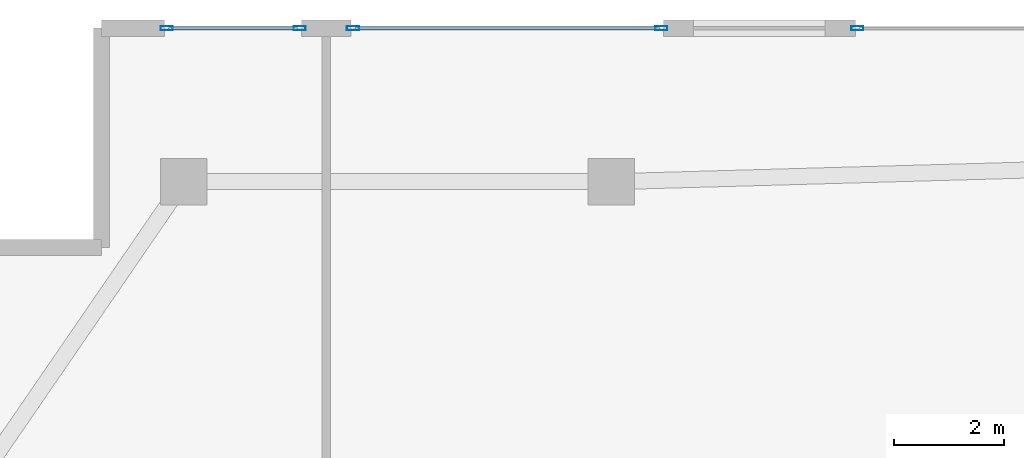
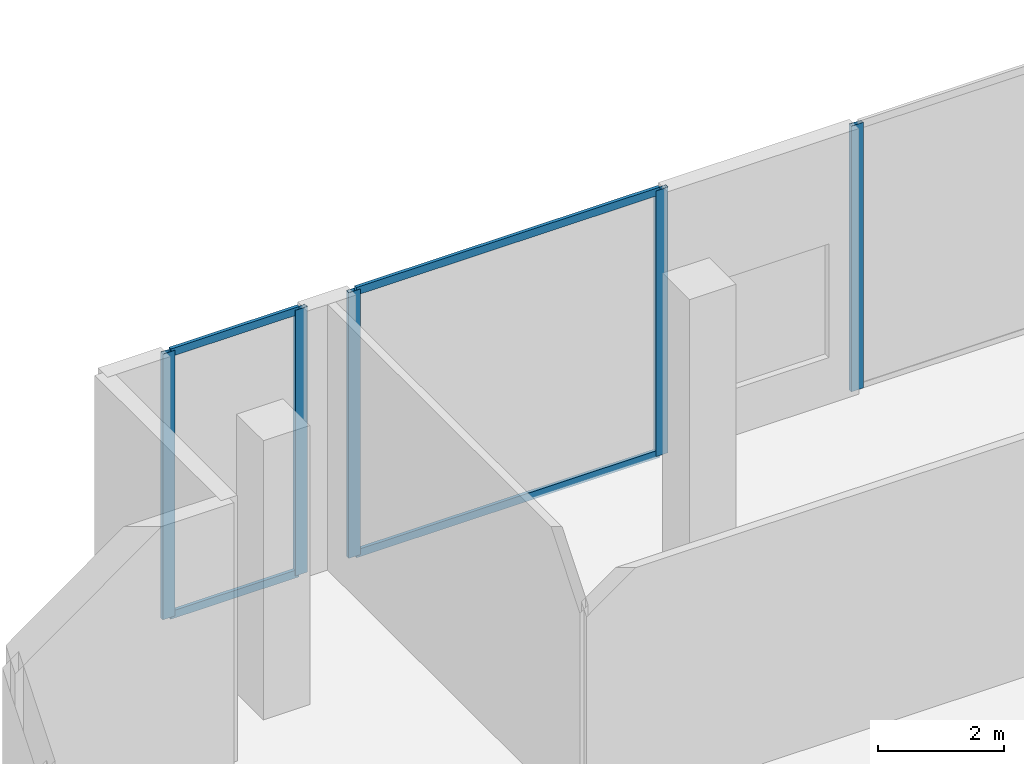
# One storey, part 14 of 30: 9 members, 3 elements without a shape of their own.
"""IFC4 building model written with IfcOpenShell, lengths in metres."""

from ifc_helpers import new_model, si_unit, direction, frame, origin, origin_2d, place, context, subcontext, project, spatial, hollow_rectangle, extrude, material, layer, layer_set, material_profile, profile_set, type_object, element, aggregate, save


model = new_model("IFC4")

# Units and contexts
model_context = context("Model", 3, precision=1e-05, world=origin(), true_north=direction((0.0, 1.0)))
body_context = subcontext(model_context, "Body", "Model", "MODEL_VIEW")
ifc_project = project(units=[si_unit("LENGTHUNIT", "METRE"), si_unit("AREAUNIT", "SQUARE_METRE"), si_unit("VOLUMEUNIT", "CUBIC_METRE"), si_unit("PLANEANGLEUNIT", "RADIAN"), si_unit("MASSUNIT", "GRAM", prefix="KILO")], contexts=[model_context])

# Site, building, storey
site_placement = place(None, origin())
site = spatial("IfcSite", under=ifc_project, at=site_placement, CompositionType="ELEMENT")
building_placement = place(site_placement, origin())
building = spatial("IfcBuilding", under=site, at=building_placement, Name="Zuhayl Quay Hotel", CompositionType="ELEMENT")
storey_placement = place(building_placement, frame((0.0, 0.0, 6.0)))
storey = spatial("IfcBuildingStorey", under=building, at=storey_placement, Name="L01", CompositionType="ELEMENT", Elevation=6.0)

# Curtain wall, members
ifc_material_1 = material(Name="Anodised Aluminium 6063-T6", Category="aluminium")
ifc_layer = layer(ifc_material_1, 0.199951171875, Name="Anodised Aluminium 6063-T6", Category="aluminium")
ifc_layer_set = layer_set([ifc_layer], Name="Anodised Aluminium 6063-T6")
curtain_wall_type = type_object("IfcCurtainWallType", Name="CW_SYS_POD", PredefinedType="USERDEFINED", material=ifc_layer_set)
curtain_wall_1_placement = place(storey_placement, origin())
curtain_wall_1 = element("IfcCurtainWall", 1, at=curtain_wall_1_placement, inside=storey, type_object=curtain_wall_type, Name="L01 Curtain Wall ENV_L01_E05_CW1", ObjectType="UNITISED CURTAIN WALL", PredefinedType="USERDEFINED")
ifc_material_2 = material(Name="Black-anodised aluminium 6063-T6", Category="aluminium")
ifc_material_profile_1 = material_profile(ifc_material_2, hollow_rectangle(XDim=0.074951171875, YDim=0.219970703125, WallThickness=0.00390625, at=origin_2d()), Name="ALU220X75")
ifc_profile_set_1 = profile_set([ifc_material_profile_1], Name="Black-anodised aluminium 6063-T6")
member_type_1 = type_object("IfcMemberType", Name="MB_CW_MUL_220", PredefinedType="MULLION", material=ifc_profile_set_1)
member_1_placement = place(storey_placement, frame((-30.8125, 25.0, 0.0), z_axis=(0.0, 0.0, 1.0), x_axis=(0.0, 1.0, 0.0)))
member_1 = element("IfcMember", 2, at=member_1_placement, type_object=member_type_1, Name="CW-POD mullion 1", PredefinedType="MULLION", context=body_context, shape_type="SweptSolid", body=[
    extrude(hollow_rectangle(XDim=0.074951171875, YDim=0.219970703125, WallThickness=0.00390625, at=origin_2d()), origin(), (0.0, 0.0, 1.0), 5.139892578125),
])
member_2_placement = place(storey_placement, frame((-28.387451171875, 25.0, 0.0), z_axis=(0.0, 0.0, 1.0), x_axis=(0.0, 1.0, 0.0)))
member_2 = element("IfcMember", 3, at=member_2_placement, type_object=member_type_1, Name="CW-POD mullion 2", PredefinedType="MULLION", context=body_context, shape_type="SweptSolid", body=[
    extrude(hollow_rectangle(XDim=0.074951171875, YDim=0.219970703125, WallThickness=0.00390625, at=origin_2d()), origin(), (0.0, 0.0, 1.0), 5.139892578125),
])

curtain_wall_2_placement = place(storey_placement, origin())
curtain_wall_2 = element("IfcCurtainWall", 4, at=curtain_wall_2_placement, inside=storey, type_object=curtain_wall_type, Name="L01 Curtain Wall ENV_L01_E05_CW2", ObjectType="UNITISED CURTAIN WALL", PredefinedType="USERDEFINED")
member_3_placement = place(storey_placement, frame((-27.41259765625, 25.0, 0.0), z_axis=(0.0, 0.0, 1.0), x_axis=(0.0, 1.0, 0.0)))
member_3 = element("IfcMember", 5, at=member_3_placement, type_object=member_type_1, Name="CW-POD mullion 1", PredefinedType="MULLION", context=body_context, shape_type="SweptSolid", body=[
    extrude(hollow_rectangle(XDim=0.074951171875, YDim=0.219970703125, WallThickness=0.00390625, at=origin_2d()), origin(), (0.0, 0.0, 1.0), 5.139892578125),
])
member_4_placement = place(storey_placement, frame((-21.78759765625, 25.0, 0.0), z_axis=(0.0, 0.0, 1.0), x_axis=(0.0, 1.0, 0.0)))
member_4 = element("IfcMember", 6, at=member_4_placement, type_object=member_type_1, Name="CW-POD mullion 2", PredefinedType="MULLION", context=body_context, shape_type="SweptSolid", body=[
    extrude(hollow_rectangle(XDim=0.074951171875, YDim=0.219970703125, WallThickness=0.00390625, at=origin_2d()), origin(), (0.0, 0.0, 1.0), 5.139892578125),
])

# Curtain wall, member
curtain_wall_3_placement = place(storey_placement, origin())
curtain_wall_3 = element("IfcCurtainWall", 7, at=curtain_wall_3_placement, inside=storey, type_object=curtain_wall_type, Name="L01 Curtain Wall ENV_L01_E05_CW3", ObjectType="UNITISED CURTAIN WALL", PredefinedType="USERDEFINED")
member_5_placement = place(storey_placement, frame((-18.21240234375, 25.0, 0.0), z_axis=(0.0, 0.0, 1.0), x_axis=(0.0, 1.0, 0.0)))
member_5 = element("IfcMember", 8, at=member_5_placement, type_object=member_type_1, Name="CW-POD mullion 1", PredefinedType="MULLION", context=body_context, shape_type="SweptSolid", body=[
    extrude(hollow_rectangle(XDim=0.074951171875, YDim=0.219970703125, WallThickness=0.00390625, at=origin_2d()), origin(), (0.0, 0.0, 1.0), 5.139892578125),
])
aggregate(curtain_wall_3, [member_5])

# Member
ifc_material_profile_2 = material_profile(ifc_material_2, hollow_rectangle(XDim=0.06005859375, YDim=0.14990234375, WallThickness=0.00341796875, at=origin_2d()), Name="ALU150X60")
ifc_profile_set_2 = profile_set([ifc_material_profile_2], Name="Black-anodised aluminium 6063-T6")
member_type_2 = type_object("IfcMemberType", Name="MB_CW_TRN_150", PredefinedType="USERDEFINED", material=ifc_profile_set_2)
member_6_placement = place(storey_placement, frame((-30.77490234375, 25.0, 0.030029296875), z_axis=(1.0, 0.0, 0.0), x_axis=(0.0, 1.0, 0.0)))
member_6 = element("IfcMember", 9, at=member_6_placement, type_object=member_type_2, Name="CW-POD transom 1.1", ObjectType="TRANSOM", PredefinedType="USERDEFINED", context=body_context, shape_type="SweptSolid", body=[
    extrude(hollow_rectangle(XDim=0.06005859375, YDim=0.14990234375, WallThickness=0.00341796875, at=origin_2d()), origin(), (0.0, 0.0, 1.0), 2.349853515625),
])

member_7_placement = place(storey_placement, frame((-30.77490234375, 25.0, 5.110107421875), z_axis=(1.0, 0.0, 0.0), x_axis=(0.0, 1.0, 0.0)))
member_7 = element("IfcMember", 10, at=member_7_placement, type_object=member_type_2, Name="CW-POD transom 1.2", ObjectType="TRANSOM", PredefinedType="USERDEFINED", context=body_context, shape_type="SweptSolid", body=[
    extrude(hollow_rectangle(XDim=0.06005859375, YDim=0.14990234375, WallThickness=0.00341796875, at=origin_2d()), origin(), (0.0, 0.0, 1.0), 2.349853515625),
])

aggregate(curtain_wall_1, [member_1, member_2, member_6, member_7])

member_8_placement = place(storey_placement, frame((-27.375, 25.0, 0.030029296875), z_axis=(1.0, 0.0, 0.0), x_axis=(0.0, 1.0, 0.0)))
member_8 = element("IfcMember", 11, at=member_8_placement, type_object=member_type_2, Name="CW-POD transom 1.1", ObjectType="TRANSOM", PredefinedType="USERDEFINED", context=body_context, shape_type="SweptSolid", body=[
    extrude(hollow_rectangle(XDim=0.06005859375, YDim=0.14990234375, WallThickness=0.00341796875, at=origin_2d()), origin(), (0.0, 0.0, 1.0), 5.550048828125),
])

member_9_placement = place(storey_placement, frame((-27.375, 25.0, 5.110107421875), z_axis=(1.0, 0.0, 0.0), x_axis=(0.0, 1.0, 0.0)))
member_9 = element("IfcMember", 12, at=member_9_placement, type_object=member_type_2, Name="CW-POD transom 1.2", ObjectType="TRANSOM", PredefinedType="USERDEFINED", context=body_context, shape_type="SweptSolid", body=[
    extrude(hollow_rectangle(XDim=0.06005859375, YDim=0.14990234375, WallThickness=0.00341796875, at=origin_2d()), origin(), (0.0, 0.0, 1.0), 5.550048828125),
])

aggregate(curtain_wall_2, [member_3, member_4, member_8, member_9])

save(model, "model.ifc")
